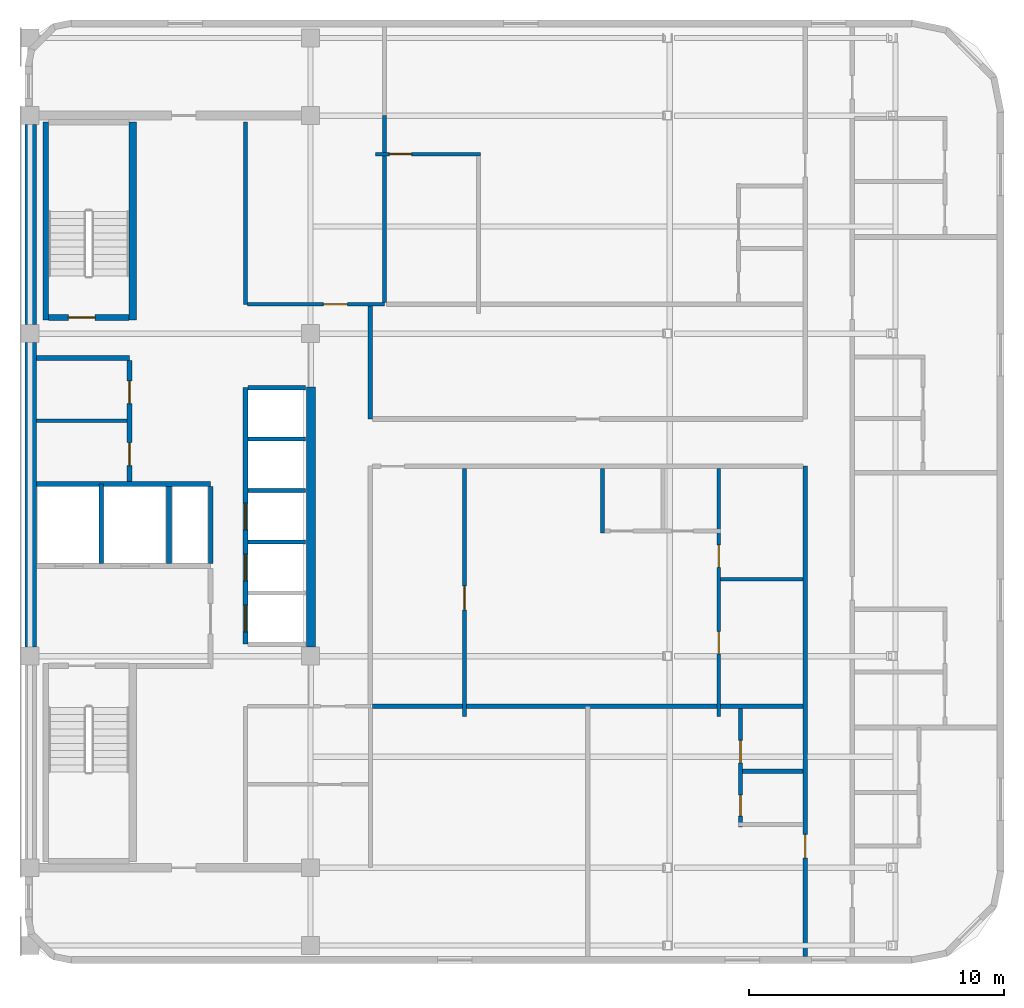
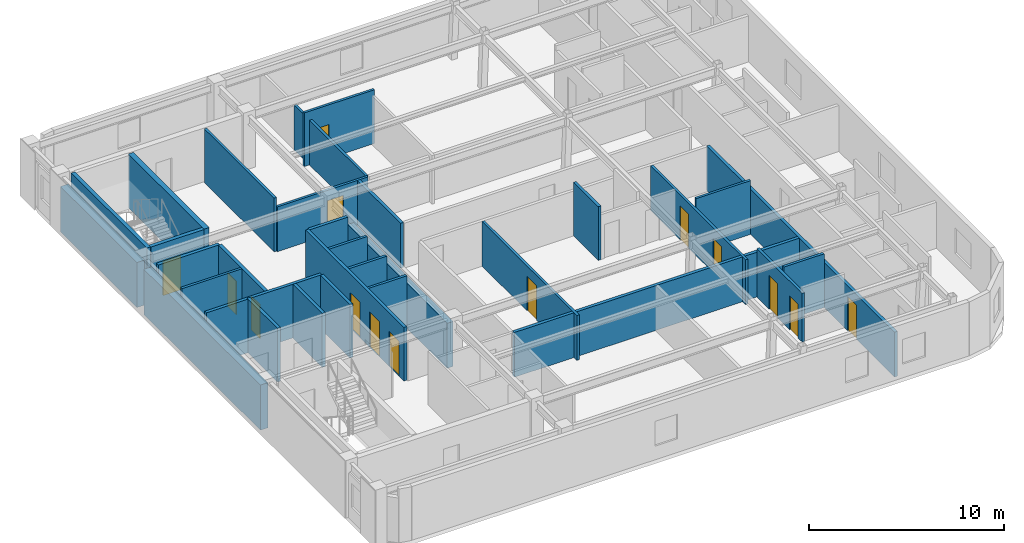
# One storey, part 3 of 6: 31 walls, 14 doors, 14 openings.
"""IFC4 building model written with IfcOpenShell, lengths in metres."""

from ifc_helpers import new_model, si_unit, direction, frame, frame_2d, origin, place, context, subcontext, project, spatial, rectangle, extrude, material, layer, layer_set, type_object, element, fill, save


model = new_model("IFC4")

# Units and contexts
model_context = context("Model", 3, precision=1e-05, world=origin(), true_north=direction((0.0, 1.0)))
body_context = subcontext(model_context, "Body", "Model", "MODEL_VIEW")
ifc_project = project(units=[si_unit("LENGTHUNIT", "METRE"), si_unit("AREAUNIT", "SQUARE_METRE"), si_unit("VOLUMEUNIT", "CUBIC_METRE"), si_unit("PLANEANGLEUNIT", "RADIAN"), si_unit("MASSUNIT", "GRAM", prefix="KILO")], contexts=[model_context])

# Site, building, storey
site_placement = place(None, origin())
site = spatial("IfcSite", under=ifc_project, at=site_placement, CompositionType="ELEMENT")
building_placement = place(site_placement, origin())
building = spatial("IfcBuilding", under=site, at=building_placement, Name="Ochreholt Gables", CompositionType="ELEMENT")
storey_placement = place(building_placement, frame((0.0, 0.0, 264.0)))
storey = spatial("IfcBuildingStorey", under=building, at=storey_placement, Name="L69", CompositionType="ELEMENT", Elevation=264.0)

# Walls
ifc_material_1 = material(Name="Concrete 50 MPa", Category="concrete")
ifc_layer_1 = layer(ifc_material_1, 0.35009765625, Name="Concrete 50 MPa")
ifc_layer_set_1 = layer_set([ifc_layer_1], Name="Concrete 50 MPa")
wall_type_1 = type_object("IfcWallType", Name="WALL-CSW-350", PredefinedType="SHEAR", material=ifc_layer_set_1)
wall_1_placement = place(storey_placement, frame((35.22509765625, 17.89990234375, 0.0), z_axis=(0.0, 0.0, 1.0), x_axis=(0.0, 1.0, 0.0)))
element("IfcWall", 1, at=wall_1_placement, inside=storey, type_object=wall_type_1, Name="L69 Core Central-East Shear Wall", PredefinedType="SHEAR", context=body_context, shape_type="SweptSolid", body=[
    extrude(rectangle(XDim=10.2001953125, YDim=0.35009765625, at=frame_2d((5.10009765625, 0.0))), origin(), (0.0, 0.0, 1.0), 2.821044921875),
])
ifc_layer_2 = layer(ifc_material_1, 0.449951171875, Name="Concrete 50 MPa")
ifc_layer_set_2 = layer_set([ifc_layer_2], Name="Concrete 50 MPa")
wall_type_2 = type_object("IfcWallType", Name="WALL-CSW-EXT", PredefinedType="SHEAR", material=ifc_layer_set_2)
wall_2_placement = place(storey_placement, frame((24.22509765625, 17.89990234375, 0.0), z_axis=(0.0, 0.0, 1.0), x_axis=(0.0, 1.0, 0.0)))
element("IfcWall", 2, at=wall_2_placement, inside=storey, type_object=wall_type_2, Name="L69 Core West Shear Wall WM", PredefinedType="SHEAR", context=body_context, shape_type="SweptSolid", body=[
    extrude(rectangle(XDim=11.9501953125, YDim=0.449951171875, at=frame_2d((5.97509765625, 0.0))), origin(), (0.0, 0.0, 1.0), 2.821044921875),
])
wall_3_placement = place(storey_placement, frame((24.22509765625, 30.550048828125, 0.0), z_axis=(0.0, 0.0, 1.0), x_axis=(0.0, 1.0, 0.0)))
element("IfcWall", 3, at=wall_3_placement, inside=storey, type_object=wall_type_2, Name="L69 Core West Shear Wall WN", PredefinedType="SHEAR", context=body_context, shape_type="SweptSolid", body=[
    extrude(rectangle(XDim=7.849853515625, YDim=0.449951171875, at=frame_2d((3.9248046875, 0.0))), origin(), (0.0, 0.0, 1.0), 2.821044921875),
])
ifc_material_2 = material(Name="Concrete 40 MPa", Category="concrete")
ifc_layer_3 = layer(ifc_material_2, 0.199951171875, Name="Concrete 40 MPa")
ifc_layer_set_3 = layer_set([ifc_layer_3], Name="Concrete 40 MPa")
wall_type_3 = type_object("IfcWallType", Name="WALL-INT-CF200", PredefinedType="STANDARD", material=ifc_layer_set_3)
wall_4_placement = place(storey_placement, frame((24.449951171875, 29.239990234375, 0.0), z_axis=(0.0, 0.0, 1.0), x_axis=(1.0, 0.0, 0.0)))
element("IfcWall", 4, at=wall_4_placement, inside=storey, type_object=wall_type_3, Name="L69 Interior Wall WI-SRVN-L69", PredefinedType="STANDARD", context=body_context, shape_type="SweptSolid", body=[
    extrude(rectangle(XDim=3.650146484375, YDim=0.199951171875, at=frame_2d((1.8251953125, 0.0))), origin(), (0.0, 0.0, 1.0), 3.360107421875),
])

# Wall, openings, doors
wall_5_placement = place(storey_placement, frame((28.10009765625, 24.389892578125, 0.0), z_axis=(0.0, 0.0, 1.0), x_axis=(0.0, 1.0, 0.0)))
wall_5 = element("IfcWall", 5, at=wall_5_placement, inside=storey, type_object=wall_type_3, Name="L69 Interior Wall WI-SRVE-L69", PredefinedType="STANDARD", context=body_context, shape_type="SweptSolid", body=[
    extrude(rectangle(XDim=4.75, YDim=0.199951171875, at=frame_2d((2.375, 0.0))), origin(), (0.0, 0.0, 1.0), 3.360107421875),
])
opening_1_placement = place(wall_5_placement, frame((0.6298828125, 0.0, 0.0)))
opening_1 = element("IfcOpeningElement", 6, at=opening_1_placement, cuts=wall_5, Name="Opening D-SV1", PredefinedType="OPENING", context=body_context, shape_type="SweptSolid", body=[
    extrude(rectangle(XDim=0.89990234375, YDim=2.10009765625, at=frame_2d((0.449951171875, 1.050048828125))), frame((0.0, 0.10986328125, 0.0), z_axis=(0.0, -1.0, 0.0), x_axis=(1.0, 0.0, 0.0)), (0.0, 0.0, 1.0), 0.219970703125),
])
opening_2_placement = place(wall_5_placement, frame((3.06005859375, 0.0, 0.0)))
opening_2 = element("IfcOpeningElement", 7, at=opening_2_placement, cuts=wall_5, Name="Opening D-SV1", PredefinedType="OPENING", context=body_context, shape_type="SweptSolid", body=[
    extrude(rectangle(XDim=0.89990234375, YDim=2.10009765625, at=frame_2d((0.449951171875, 1.050048828125))), frame((0.0, 0.10986328125, 0.0), z_axis=(0.0, -1.0, 0.0), x_axis=(1.0, 0.0, 0.0)), (0.0, 0.0, 1.0), 0.219970703125),
])
ifc_material_3 = material(Name="Hollow Metal Steel", Category="steel")
door_type_1 = type_object("IfcDoorType", Name="DR-INT-SRV900", OperationType="NOTDEFINED", PredefinedType="DOOR", material=ifc_material_3)
door_1_placement = place(opening_1_placement, origin())
door_1 = element("IfcDoor", 8, at=door_1_placement, inside=storey, type_object=door_type_1, Name="L69 Door D-SRV1-L69", OperationType="SINGLE_SWING_LEFT", OverallHeight=2.10009765625, OverallWidth=0.89990234375, PredefinedType="DOOR", context=body_context, shape_type="SweptSolid", body=[
    extrude(rectangle(XDim=0.89990234375, YDim=2.10009765625, at=frame_2d((0.449951171875, 1.050048828125))), frame((0.0, 0.02490234375, 0.0), z_axis=(0.0, -1.0, 0.0), x_axis=(1.0, 0.0, 0.0)), (0.0, 0.0, 1.0), 0.050048828125),
])
fill(opening_1, door_1)
door_2_placement = place(opening_2_placement, origin())
door_2 = element("IfcDoor", 9, at=door_2_placement, inside=storey, type_object=door_type_1, Name="L69 Door D-SRV2-L69", OperationType="SINGLE_SWING_RIGHT", OverallHeight=2.10009765625, OverallWidth=0.89990234375, PredefinedType="DOOR", context=body_context, shape_type="SweptSolid", body=[
    extrude(rectangle(XDim=0.89990234375, YDim=2.10009765625, at=frame_2d((0.449951171875, 1.050048828125))), frame((0.0, 0.02490234375, 0.0), z_axis=(0.0, -1.0, 0.0), x_axis=(1.0, 0.0, 0.0)), (0.0, 0.0, 1.0), 0.050048828125),
])
fill(opening_2, door_2)

# Wall
ifc_material_4 = material(Name="Fire-Rated Gypsum Acoustic Partition", Category="gypsum")
ifc_layer_4 = layer(ifc_material_4, 0.179931640625, Name="Fire-Rated Gypsum Acoustic Partition")
ifc_layer_set_4 = layer_set([ifc_layer_4], Name="Fire-Rated Gypsum Acoustic Partition")
wall_type_4 = type_object("IfcWallType", Name="WALL-INT-CR180", PredefinedType="STANDARD", material=ifc_layer_set_4)
wall_6_placement = place(storey_placement, frame((37.550048828125, 26.85009765625, 0.0), z_axis=(0.0, 0.0, 1.0), x_axis=(0.0, 1.0, 0.0)))
element("IfcWall", 10, at=wall_6_placement, inside=storey, type_object=wall_type_4, Name="L69 Interior Wall WI-C3CE2-L69", PredefinedType="STANDARD", context=body_context, shape_type="SweptSolid", body=[
    extrude(rectangle(XDim=4.427490234375, YDim=0.179931640625, at=frame_2d((2.2138671875, 0.0))), origin(), (0.0, 0.0, 1.0), 2.802978515625),
])

# Wall, opening, door
wall_7_placement = place(storey_placement, frame((54.60009765625, 5.77001953125, 0.0), z_axis=(0.0, 0.0, 1.0), x_axis=(0.0, 1.0, 0.0)))
wall_7 = element("IfcWall", 11, at=wall_7_placement, inside=storey, type_object=wall_type_4, Name="L69 Interior Wall WI-C3GW0-L69", PredefinedType="STANDARD", context=body_context, shape_type="SweptSolid", body=[
    extrude(rectangle(XDim=19.22998046875, YDim=0.179931640625, at=frame_2d((9.614990234375, 0.0))), origin(), (0.0, 0.0, 1.0), 2.802978515625),
])
opening_3_placement = place(wall_7_placement, frame((3.8701171875, 0.0, 0.0)))
opening_3 = element("IfcOpeningElement", 12, at=opening_3_placement, cuts=wall_7, Name="Opening D-UN1", PredefinedType="OPENING", context=body_context, shape_type="SweptSolid", body=[
    extrude(rectangle(XDim=0.919921875, YDim=2.14990234375, at=frame_2d((0.4599609375, 1.074951171875))), frame((0.0, 0.099853515625, 0.0), z_axis=(0.0, -1.0, 0.0), x_axis=(1.0, 0.0, 0.0)), (0.0, 0.0, 1.0), 0.199951171875),
])
ifc_material_5 = material(Name="Engineered Oak Timber", Category="wood")
door_type_2 = type_object("IfcDoorType", Name="DR-INT-UNT920", OperationType="NOTDEFINED", PredefinedType="DOOR", material=ifc_material_5)
door_3_placement = place(opening_3_placement, origin())
door_3 = element("IfcDoor", 13, at=door_3_placement, inside=storey, type_object=door_type_2, Name="L69 Door D-U-L69SM1-ENT", OperationType="SINGLE_SWING_RIGHT", OverallHeight=2.14990234375, OverallWidth=0.919921875, PredefinedType="DOOR", context=body_context, shape_type="SweptSolid", body=[
    extrude(rectangle(XDim=0.919921875, YDim=2.14990234375, at=frame_2d((0.4599609375, 1.074951171875))), frame((0.0, 0.02490234375, 0.0), z_axis=(0.0, -1.0, 0.0), x_axis=(1.0, 0.0, 0.0)), (0.0, 0.0, 1.0), 0.050048828125),
])
fill(opening_3, door_3)

# Wall
ifc_material_6 = material(Name="Double-Stud Acoustic Demising Wall", Category="gypsum")
ifc_layer_5 = layer(ifc_material_6, 0.18505859375, Name="Double-Stud Acoustic Demising Wall")
ifc_layer_set_5 = layer_set([ifc_layer_5], Name="Double-Stud Acoustic Demising Wall")
wall_type_5 = type_object("IfcWallType", Name="WALL-INT-DM185", PredefinedType="PARTITIONING", material=ifc_layer_set_5)
wall_8_placement = place(storey_placement, frame((37.639892578125, 15.580078125, 0.0), z_axis=(0.0, 0.0, 1.0), x_axis=(1.0, 0.0, 0.0)))
element("IfcWall", 14, at=wall_8_placement, inside=storey, type_object=wall_type_5, Name="L69 Interior Wall WI-C3SMY-L69", PredefinedType="PARTITIONING", context=body_context, shape_type="SweptSolid", body=[
    extrude(rectangle(XDim=16.8701171875, YDim=0.18505859375, at=frame_2d((8.43505859375, 0.0))), origin(), (0.0, 0.0, 1.0), 2.802978515625),
])

# Wall, openings, doors
ifc_material_7 = material(Name="Moisture-Resistant Plumbing Chase Wall", Category="gypsum")
ifc_layer_6 = layer(ifc_material_7, 0.159912109375, Name="Moisture-Resistant Plumbing Chase Wall")
ifc_layer_set_6 = layer_set([ifc_layer_6], Name="Moisture-Resistant Plumbing Chase Wall")
wall_type_6 = type_object("IfcWallType", Name="WALL-INT-PL160", PredefinedType="PLUMBINGWALL", material=ifc_layer_set_6)
wall_9_placement = place(storey_placement, frame((52.06005859375, 10.85009765625, 0.0), z_axis=(0.0, 0.0, 1.0), x_axis=(0.0, 1.0, 0.0)))
wall_9 = element("IfcWall", 15, at=wall_9_placement, inside=storey, type_object=wall_type_6, Name="L69 Interior Wall WU-L69SM1-WX", PredefinedType="PLUMBINGWALL", context=body_context, shape_type="SweptSolid", body=[
    extrude(rectangle(XDim=4.637451171875, YDim=0.159912109375, at=frame_2d((2.31884765625, 0.0))), origin(), (0.0, 0.0, 1.0), 3.0390625),
])
opening_4_placement = place(wall_9_placement, frame((0.419921875, 0.0, 0.0)))
opening_4 = element("IfcOpeningElement", 16, at=opening_4_placement, cuts=wall_9, Name="Opening D-BT2", PredefinedType="OPENING", context=body_context, shape_type="SweptSolid", body=[
    extrude(rectangle(XDim=0.840087890625, YDim=2.1201171875, at=frame_2d((0.419921875, 1.06005859375))), frame((0.0, 0.08984375, 0.0), z_axis=(0.0, -1.0, 0.0), x_axis=(1.0, 0.0, 0.0)), (0.0, 0.0, 1.0), 0.179931640625),
])
opening_5_placement = place(wall_9_placement, frame((2.512939453125, 0.0, 0.0)))
opening_5 = element("IfcOpeningElement", 17, at=opening_5_placement, cuts=wall_9, Name="Opening D-GN2", PredefinedType="OPENING", context=body_context, shape_type="SweptSolid", body=[
    extrude(rectangle(XDim=0.8798828125, YDim=2.1201171875, at=frame_2d((0.43994140625, 1.06005859375))), frame((0.0, 0.08984375, 0.0), z_axis=(0.0, -1.0, 0.0), x_axis=(1.0, 0.0, 0.0)), (0.0, 0.0, 1.0), 0.179931640625),
])
door_type_3 = type_object("IfcDoorType", Name="DR-INT-BTH840", OperationType="NOTDEFINED", PredefinedType="DOOR", material=ifc_material_5)
door_4_placement = place(opening_4_placement, origin())
door_4 = element("IfcDoor", 18, at=door_4_placement, inside=storey, type_object=door_type_3, Name="L69 Door D-U-L69SM1-BTH", OperationType="SINGLE_SWING_LEFT", OverallHeight=2.1201171875, OverallWidth=0.840087890625, PredefinedType="DOOR", context=body_context, shape_type="SweptSolid", body=[
    extrude(rectangle(XDim=0.840087890625, YDim=2.1201171875, at=frame_2d((0.419921875, 1.06005859375))), frame((0.0, 0.02490234375, 0.0), z_axis=(0.0, -1.0, 0.0), x_axis=(1.0, 0.0, 0.0)), (0.0, 0.0, 1.0), 0.050048828125),
])
fill(opening_4, door_4)
door_type_4 = type_object("IfcDoorType", Name="DR-INT-GEN880", OperationType="NOTDEFINED", PredefinedType="DOOR", material=ifc_material_5)
door_5_placement = place(opening_5_placement, origin())
door_5 = element("IfcDoor", 19, at=door_5_placement, inside=storey, type_object=door_type_4, Name="L69 Door D-U-L69SM1-KIT", OperationType="SINGLE_SWING_RIGHT", OverallHeight=2.1201171875, OverallWidth=0.8798828125, PredefinedType="DOOR", context=body_context, shape_type="SweptSolid", body=[
    extrude(rectangle(XDim=0.8798828125, YDim=2.1201171875, at=frame_2d((0.43994140625, 1.06005859375))), frame((0.0, 0.02490234375, 0.0), z_axis=(0.0, -1.0, 0.0), x_axis=(1.0, 0.0, 0.0)), (0.0, 0.0, 1.0), 0.050048828125),
])
fill(opening_5, door_5)

# Walls
wall_10_placement = place(storey_placement, frame((52.139892578125, 13.032958984375, 0.0), z_axis=(0.0, 0.0, 1.0), x_axis=(1.0, 0.0, 0.0)))
element("IfcWall", 20, at=wall_10_placement, inside=storey, type_object=wall_type_6, Name="L69 Interior Wall WU-L69SM1-WM", PredefinedType="PLUMBINGWALL", context=body_context, shape_type="SweptSolid", body=[
    extrude(rectangle(XDim=2.3701171875, YDim=0.159912109375, at=frame_2d((1.18505859375, 0.0))), origin(), (0.0, 0.0, 1.0), 3.360107421875),
])
wall_11_placement = place(storey_placement, frame((46.659912109375, 22.3798828125, 0.0), z_axis=(0.0, 0.0, 1.0), x_axis=(0.0, 1.0, 0.0)))
element("IfcWall", 21, at=wall_11_placement, inside=storey, type_object=wall_type_6, Name="L69 Interior Wall WU-L69SM2-FY", PredefinedType="PLUMBINGWALL", context=body_context, shape_type="SweptSolid", body=[
    extrude(rectangle(XDim=2.530029296875, YDim=0.159912109375, at=frame_2d((1.26513671875, 0.0))), origin(), (0.0, 0.0, 1.0), 3.360107421875),
])
ifc_material_8 = material(Name="Lightweight Stud Partition", Category="gypsum")
ifc_layer_7 = layer(ifc_material_8, 0.14501953125, Name="Lightweight Stud Partition")
ifc_layer_set_7 = layer_set([ifc_layer_7], Name="Lightweight Stud Partition")
wall_type_7 = type_object("IfcWallType", Name="WALL-INT-PT145", PredefinedType="PARTITIONING", material=ifc_layer_set_7)
wall_12_placement = place(storey_placement, frame((24.449951171875, 26.780029296875, 0.0), z_axis=(0.0, 0.0, 1.0), x_axis=(1.0, 0.0, 0.0)))
element("IfcWall", 22, at=wall_12_placement, inside=storey, type_object=wall_type_7, Name="L69 Interior Wall WI-SRVP1-L69", PredefinedType="PARTITIONING", context=body_context, shape_type="SweptSolid", body=[
    extrude(rectangle(XDim=3.550048828125, YDim=0.14501953125, at=frame_2d((1.77490234375, 0.0))), origin(), (0.0, 0.0, 1.0), 3.360107421875),
])
wall_13_placement = place(storey_placement, frame((32.64990234375, 31.35009765625, 0.0), z_axis=(0.0, 0.0, 1.0), x_axis=(0.0, 1.0, 0.0)))
element("IfcWall", 23, at=wall_13_placement, inside=storey, type_object=wall_type_7, Name="L69 Interior Wall WI-RCM-W-L69", PredefinedType="PARTITIONING", context=body_context, shape_type="SweptSolid", body=[
    extrude(rectangle(XDim=7.14990234375, YDim=0.14501953125, at=frame_2d((3.574951171875, 0.0))), origin(), (0.0, 0.0, 1.0), 3.360107421875),
])

# Wall, opening, door
wall_14_placement = place(storey_placement, frame((32.722412109375, 31.35009765625, 0.0), z_axis=(0.0, 0.0, 1.0), x_axis=(1.0, 0.0, 0.0)))
wall_14 = element("IfcWall", 24, at=wall_14_placement, inside=storey, type_object=wall_type_7, Name="L69 Interior Wall WI-RCM-S-L69", PredefinedType="PARTITIONING", context=body_context, shape_type="SweptSolid", body=[
    extrude(rectangle(XDim=5.377685546875, YDim=0.14501953125, at=frame_2d((2.68896484375, 0.0))), origin(), (0.0, 0.0, 1.0), 2.802978515625),
])
opening_6_placement = place(wall_14_placement, frame((2.9775390625, 0.0, 0.0)))
opening_6 = element("IfcOpeningElement", 25, at=opening_6_placement, cuts=wall_14, Name="Opening D-GN1", PredefinedType="OPENING", context=body_context, shape_type="SweptSolid", body=[
    extrude(rectangle(XDim=0.949951171875, YDim=2.14990234375, at=frame_2d((0.47509765625, 1.074951171875))), frame((0.0, 0.08251953125, 0.0), z_axis=(0.0, -1.0, 0.0), x_axis=(1.0, 0.0, 0.0)), (0.0, 0.0, 1.0), 0.1650390625),
])
door_type_5 = type_object("IfcDoorType", Name="DR-INT-GEN950", OperationType="NOTDEFINED", PredefinedType="DOOR", material=ifc_material_5)
door_6_placement = place(opening_6_placement, origin())
door_6 = element("IfcDoor", 26, at=door_6_placement, inside=storey, type_object=door_type_5, Name="L69 Door D-RCM-L69", OperationType="SINGLE_SWING_RIGHT", OverallHeight=2.14990234375, OverallWidth=0.949951171875, PredefinedType="DOOR", context=body_context, shape_type="SweptSolid", body=[
    extrude(rectangle(XDim=0.949951171875, YDim=2.14990234375, at=frame_2d((0.47509765625, 1.074951171875))), frame((0.0, 0.02490234375, 0.0), z_axis=(0.0, -1.0, 0.0), x_axis=(1.0, 0.0, 0.0)), (0.0, 0.0, 1.0), 0.050048828125),
])
fill(opening_6, door_6)

# Wall
wall_15_placement = place(storey_placement, frame((38.10009765625, 31.422607421875, 0.0), z_axis=(0.0, 0.0, 1.0), x_axis=(0.0, 1.0, 0.0)))
element("IfcWall", 27, at=wall_15_placement, inside=storey, type_object=wall_type_7, Name="L69 Interior Wall WI-RCM-E-L69", PredefinedType="PARTITIONING", context=body_context, shape_type="SweptSolid", body=[
    extrude(rectangle(XDim=7.327392578125, YDim=0.14501953125, at=frame_2d((3.66357421875, 0.0))), origin(), (0.0, 0.0, 1.0), 2.802978515625),
])

# Wall, openings, doors
wall_16_placement = place(storey_placement, frame((51.2099609375, 15.18994140625, 0.0), z_axis=(0.0, 0.0, 1.0), x_axis=(0.0, 1.0, 0.0)))
wall_16 = element("IfcWall", 28, at=wall_16_placement, inside=storey, type_object=wall_type_7, Name="L69 Interior Wall WU-L69SM2-MNX", PredefinedType="PARTITIONING", context=body_context, shape_type="SweptSolid", body=[
    extrude(rectangle(XDim=9.719970703125, YDim=0.14501953125, at=frame_2d((4.85986328125, 0.0))), origin(), (0.0, 0.0, 1.0), 2.802978515625),
])
opening_7_placement = place(wall_16_placement, frame((2.445068359375, 0.0, 0.0)))
opening_7 = element("IfcOpeningElement", 29, at=opening_7_placement, cuts=wall_16, Name="Opening D-BD2", PredefinedType="OPENING", context=body_context, shape_type="SweptSolid", body=[
    extrude(rectangle(XDim=0.8798828125, YDim=2.139892578125, at=frame_2d((0.43994140625, 1.06982421875))), frame((0.0, 0.08251953125, 0.0), z_axis=(0.0, -1.0, 0.0), x_axis=(1.0, 0.0, 0.0)), (0.0, 0.0, 1.0), 0.1650390625),
])
opening_8_placement = place(wall_16_placement, frame((5.840087890625, 0.0, 0.0)))
opening_8 = element("IfcOpeningElement", 30, at=opening_8_placement, cuts=wall_16, Name="Opening D-GN2", PredefinedType="OPENING", context=body_context, shape_type="SweptSolid", body=[
    extrude(rectangle(XDim=0.8798828125, YDim=2.1201171875, at=frame_2d((0.43994140625, 1.06005859375))), frame((0.0, 0.08251953125, 0.0), z_axis=(0.0, -1.0, 0.0), x_axis=(1.0, 0.0, 0.0)), (0.0, 0.0, 1.0), 0.1650390625),
])
door_type_6 = type_object("IfcDoorType", Name="DR-INT-BED880", OperationType="NOTDEFINED", PredefinedType="DOOR", material=ifc_material_5)
door_7_placement = place(opening_7_placement, origin())
door_7 = element("IfcDoor", 31, at=door_7_placement, inside=storey, type_object=door_type_6, Name="L69 Door D-U-L69SM2-BD1", OperationType="SINGLE_SWING_RIGHT", OverallHeight=2.139892578125, OverallWidth=0.8798828125, PredefinedType="DOOR", context=body_context, shape_type="SweptSolid", body=[
    extrude(rectangle(XDim=0.8798828125, YDim=2.139892578125, at=frame_2d((0.43994140625, 1.06982421875))), frame((0.0, 0.02490234375, 0.0), z_axis=(0.0, -1.0, 0.0), x_axis=(1.0, 0.0, 0.0)), (0.0, 0.0, 1.0), 0.050048828125),
])
fill(opening_7, door_7)
door_8_placement = place(opening_8_placement, origin())
door_8 = element("IfcDoor", 32, at=door_8_placement, inside=storey, type_object=door_type_4, Name="L69 Door D-U-L69SM2-BD2", OperationType="SINGLE_SWING_LEFT", OverallHeight=2.1201171875, OverallWidth=0.8798828125, PredefinedType="DOOR", context=body_context, shape_type="SweptSolid", body=[
    extrude(rectangle(XDim=0.8798828125, YDim=2.1201171875, at=frame_2d((0.43994140625, 1.06005859375))), frame((0.0, 0.02490234375, 0.0), z_axis=(0.0, -1.0, 0.0), x_axis=(1.0, 0.0, 0.0)), (0.0, 0.0, 1.0), 0.050048828125),
])
fill(opening_8, door_8)

# Wall, opening, door
wall_17_placement = place(storey_placement, frame((41.239990234375, 15.18994140625, 0.0), z_axis=(0.0, 0.0, 1.0), x_axis=(0.0, 1.0, 0.0)))
wall_17 = element("IfcWall", 33, at=wall_17_placement, inside=storey, type_object=wall_type_7, Name="L69 Interior Wall WU-L69SM2-DNX", PredefinedType="PARTITIONING", context=body_context, shape_type="SweptSolid", body=[
    extrude(rectangle(XDim=9.719970703125, YDim=0.14501953125, at=frame_2d((4.85986328125, 0.0))), origin(), (0.0, 0.0, 1.0), 2.802978515625),
])
opening_9_placement = place(wall_17_placement, frame((4.169921875, 0.0, 0.0)))
opening_9 = element("IfcOpeningElement", 34, at=opening_9_placement, cuts=wall_17, Name="Opening D-GN1", PredefinedType="OPENING", context=body_context, shape_type="SweptSolid", body=[
    extrude(rectangle(XDim=0.949951171875, YDim=2.14990234375, at=frame_2d((0.47509765625, 1.074951171875))), frame((0.0, 0.08251953125, 0.0), z_axis=(0.0, -1.0, 0.0), x_axis=(1.0, 0.0, 0.0)), (0.0, 0.0, 1.0), 0.1650390625),
])
door_9_placement = place(opening_9_placement, origin())
door_9 = element("IfcDoor", 35, at=door_9_placement, inside=storey, type_object=door_type_5, Name="L69 Door D-U-L69SM2-DIN", OperationType="SINGLE_SWING_LEFT", OverallHeight=2.14990234375, OverallWidth=0.949951171875, PredefinedType="DOOR", context=body_context, shape_type="SweptSolid", body=[
    extrude(rectangle(XDim=0.949951171875, YDim=2.14990234375, at=frame_2d((0.47509765625, 1.074951171875))), frame((0.0, 0.02490234375, 0.0), z_axis=(0.0, -1.0, 0.0), x_axis=(1.0, 0.0, 0.0)), (0.0, 0.0, 1.0), 0.050048828125),
])
fill(opening_9, door_9)

# Wall
wall_18_placement = place(storey_placement, frame((51.2900390625, 20.570068359375, 0.0), z_axis=(0.0, 0.0, 1.0), x_axis=(1.0, 0.0, 0.0)))
element("IfcWall", 36, at=wall_18_placement, inside=storey, type_object=wall_type_7, Name="L69 Interior Wall WU-L69SM2-RDV", PredefinedType="PARTITIONING", context=body_context, shape_type="SweptSolid", body=[
    extrude(rectangle(XDim=3.219970703125, YDim=0.14501953125, at=frame_2d((1.60986328125, 0.0))), origin(), (0.0, 0.0, 1.0), 3.360107421875),
])

# Wall, opening, door
wall_19_placement = place(storey_placement, frame((37.739990234375, 37.239990234375, 0.0), z_axis=(0.0, 0.0, 1.0), x_axis=(1.0, 0.0, 0.0)))
wall_19 = element("IfcWall", 37, at=wall_19_placement, inside=storey, type_object=wall_type_7, Name="L69 Interior Wall WU-L69NM2-STN", PredefinedType="PARTITIONING", context=body_context, shape_type="SweptSolid", body=[
    extrude(rectangle(XDim=4.130126953125, YDim=0.14501953125, at=frame_2d((2.06494140625, 0.0))), origin(), (0.0, 0.0, 1.0), 3.360107421875),
])
opening_10_placement = place(wall_19_placement, frame((0.550048828125, 0.0, 0.0)))
opening_10 = element("IfcOpeningElement", 38, at=opening_10_placement, cuts=wall_19, Name="Opening D-GN2", PredefinedType="OPENING", context=body_context, shape_type="SweptSolid", body=[
    extrude(rectangle(XDim=0.8798828125, YDim=2.1201171875, at=frame_2d((0.43994140625, 1.06005859375))), frame((0.0, 0.08251953125, 0.0), z_axis=(0.0, -1.0, 0.0), x_axis=(1.0, 0.0, 0.0)), (0.0, 0.0, 1.0), 0.1650390625),
])
door_10_placement = place(opening_10_placement, origin())
door_10 = element("IfcDoor", 39, at=door_10_placement, inside=storey, type_object=door_type_4, Name="L69 Door D-U-L69NM2-STD", OperationType="SINGLE_SWING_RIGHT", OverallHeight=2.1201171875, OverallWidth=0.8798828125, PredefinedType="DOOR", context=body_context, shape_type="SweptSolid", body=[
    extrude(rectangle(XDim=0.8798828125, YDim=2.1201171875, at=frame_2d((0.43994140625, 1.06005859375))), frame((0.0, 0.02490234375, 0.0), z_axis=(0.0, -1.0, 0.0), x_axis=(1.0, 0.0, 0.0)), (0.0, 0.0, 1.0), 0.050048828125),
])
fill(opening_10, door_10)

# Walls
ifc_material_9 = material(Name="Gypsum Shaftliner and Steel Stud", Category="steel")
ifc_layer_8 = layer(ifc_material_9, 0.14990234375, Name="Gypsum Shaftliner and Steel Stud")
ifc_layer_set_8 = layer_set([ifc_layer_8], Name="Gypsum Shaftliner and Steel Stud")
wall_type_8 = type_object("IfcWallType", Name="WALL-INT-SH150", PredefinedType="STANDARD", material=ifc_layer_set_8)
for number, where, z_axis, x_axis, name in (
    (40, (32.739990234375, 22.02001953125, 0.0), (0.0, 0.0, 1.0), (1.0, 0.0, 0.0), "L69 Interior Wall WI-LFHE-DH2-L69"),
    (41, (32.739990234375, 24.050048828125, 0.0), (0.0, 0.0, 1.0), (1.0, 0.0, 0.0), "L69 Interior Wall WI-LFHE-DHE-L69"),
    (42, (32.739990234375, 26.070068359375, 0.0), (0.0, 0.0, 1.0), (1.0, 0.0, 0.0), "L69 Interior Wall WI-LFHE-DEX1-L69"),
):
    element("IfcWall", number, at=place(storey_placement, frame(where, z_axis=z_axis, x_axis=x_axis)), inside=storey, type_object=wall_type_8, Name=name, PredefinedType="STANDARD", context=body_context, shape_type="SweptSolid", body=[
        extrude(rectangle(XDim=2.260009765625, YDim=0.14990234375, at=frame_2d((1.1298828125, 0.0))), origin(), (0.0, 0.0, 1.0), 3.360107421875),
    ])
ifc_layer_9 = layer(ifc_material_9, 0.179931640625, Name="Gypsum Shaftliner and Steel Stud")
ifc_layer_set_9 = layer_set([ifc_layer_9], Name="Gypsum Shaftliner and Steel Stud")
wall_type_9 = type_object("IfcWallType", Name="WALL-INT-SH180", PredefinedType="STANDARD", material=ifc_layer_set_9)
wall_20_placement = place(storey_placement, frame((27.0, 21.18994140625, 0.0), z_axis=(0.0, 0.0, 1.0), x_axis=(0.0, 1.0, 0.0)))
element("IfcWall", 43, at=wall_20_placement, inside=storey, type_object=wall_type_9, Name="L69 Interior Wall WI-FFDIV-L69", PredefinedType="STANDARD", context=body_context, shape_type="SweptSolid", body=[
    extrude(rectangle(XDim=3.110107421875, YDim=0.179931640625, at=frame_2d((1.55517578125, 0.0))), origin(), (0.0, 0.0, 1.0), 3.360107421875),
])
wall_21_placement = place(storey_placement, frame((24.449951171875, 24.300048828125, 0.0), z_axis=(0.0, 0.0, 1.0), x_axis=(1.0, 0.0, 0.0)))
element("IfcWall", 44, at=wall_21_placement, inside=storey, type_object=wall_type_9, Name="L69 Interior Wall WI-FFBK-L69", PredefinedType="STANDARD", context=body_context, shape_type="SweptSolid", body=[
    extrude(rectangle(XDim=6.830078125, YDim=0.179931640625, at=frame_2d((3.4150390625, 0.0))), origin(), (0.0, 0.0, 1.0), 3.360107421875),
])
for number, where, z_axis, x_axis, name in (
    (45, (29.64990234375, 21.18994140625, 0.0), (0.0, 0.0, 1.0), (0.0, 1.0, 0.0), "L69 Interior Wall WI-FFSH-L69"),
    (46, (31.280029296875, 21.18994140625, 0.0), (0.0, 0.0, 1.0), (0.0, 1.0, 0.0), "L69 Interior Wall WI-RSE-L69"),
):
    element("IfcWall", number, at=place(storey_placement, frame(where, z_axis=z_axis, x_axis=x_axis)), inside=storey, type_object=wall_type_9, Name=name, PredefinedType="STANDARD", context=body_context, shape_type="SweptSolid", body=[
        extrude(rectangle(XDim=3.02001953125, YDim=0.179931640625, at=frame_2d((1.510009765625, 0.0))), origin(), (0.0, 0.0, 1.0), 3.360107421875),
    ])

# Wall, openings, doors
wall_22_placement = place(storey_placement, frame((32.64990234375, 18.02001953125, 0.0), z_axis=(0.0, 0.0, 1.0), x_axis=(0.0, 1.0, 0.0)))
wall_22 = element("IfcWall", 47, at=wall_22_placement, inside=storey, type_object=wall_type_9, Name="L69 Interior Wall WI-LFHE-FR-L69", PredefinedType="STANDARD", context=body_context, shape_type="SweptSolid", body=[
    extrude(rectangle(XDim=10.06005859375, YDim=0.179931640625, at=frame_2d((5.030029296875, 0.0))), origin(), (0.0, 0.0, 1.0), 3.360107421875),
])
opening_11_placement = place(wall_22_placement, frame((0.47998046875, 0.0, 0.0)))
opening_11 = element("IfcOpeningElement", 48, at=opening_11_placement, cuts=wall_22, Name="Opening LD-PX", PredefinedType="OPENING", context=body_context, shape_type="SweptSolid", body=[
    extrude(rectangle(XDim=1.050048828125, YDim=2.199951171875, at=frame_2d((0.52490234375, 1.10009765625))), frame((0.0, 0.099853515625, 0.0), z_axis=(0.0, -1.0, 0.0), x_axis=(1.0, 0.0, 0.0)), (0.0, 0.0, 1.0), 0.199951171875),
])
opening_12_placement = place(wall_22_placement, frame((2.47998046875, 0.0, 0.0)))
opening_12 = element("IfcOpeningElement", 49, at=opening_12_placement, cuts=wall_22, Name="Opening LD-PX", PredefinedType="OPENING", context=body_context, shape_type="SweptSolid", body=[
    extrude(rectangle(XDim=1.050048828125, YDim=2.199951171875, at=frame_2d((0.52490234375, 1.10009765625))), frame((0.0, 0.099853515625, 0.0), z_axis=(0.0, -1.0, 0.0), x_axis=(1.0, 0.0, 0.0)), (0.0, 0.0, 1.0), 0.199951171875),
])
opening_13_placement = place(wall_22_placement, frame((4.47998046875, 0.0, 0.0)))
opening_13 = element("IfcOpeningElement", 50, at=opening_13_placement, cuts=wall_22, Name="Opening LD-PX", PredefinedType="OPENING", context=body_context, shape_type="SweptSolid", body=[
    extrude(rectangle(XDim=1.050048828125, YDim=2.199951171875, at=frame_2d((0.52490234375, 1.10009765625))), frame((0.0, 0.099853515625, 0.0), z_axis=(0.0, -1.0, 0.0), x_axis=(1.0, 0.0, 0.0)), (0.0, 0.0, 1.0), 0.199951171875),
])
ifc_material_10 = material(Name="Stainless Steel", Category="steel")
door_type_7 = type_object("IfcDoorType", Name="DR-LFT-PX1050", OperationType="NOTDEFINED", PredefinedType="DOOR", material=ifc_material_10)
door_11_placement = place(opening_11_placement, origin())
door_11 = element("IfcDoor", 51, at=door_11_placement, inside=storey, type_object=door_type_7, Name="L69 Door LD-LF-H1-L69", OperationType="SLIDING_TO_LEFT", OverallHeight=2.199951171875, OverallWidth=1.050048828125, PredefinedType="DOOR", context=body_context, shape_type="SweptSolid", body=[
    extrude(rectangle(XDim=1.050048828125, YDim=2.199951171875, at=frame_2d((0.52490234375, 1.10009765625))), frame((0.0, 0.02490234375, 0.0), z_axis=(0.0, -1.0, 0.0), x_axis=(1.0, 0.0, 0.0)), (0.0, 0.0, 1.0), 0.050048828125),
])
fill(opening_11, door_11)
door_12_placement = place(opening_12_placement, origin())
door_12 = element("IfcDoor", 52, at=door_12_placement, inside=storey, type_object=door_type_7, Name="L69 Door LD-LF-H2-L69", OperationType="SLIDING_TO_LEFT", OverallHeight=2.199951171875, OverallWidth=1.050048828125, PredefinedType="DOOR", context=body_context, shape_type="SweptSolid", body=[
    extrude(rectangle(XDim=1.050048828125, YDim=2.199951171875, at=frame_2d((0.52490234375, 1.10009765625))), frame((0.0, 0.02490234375, 0.0), z_axis=(0.0, -1.0, 0.0), x_axis=(1.0, 0.0, 0.0)), (0.0, 0.0, 1.0), 0.050048828125),
])
fill(opening_12, door_12)
door_13_placement = place(opening_13_placement, origin())
door_13 = element("IfcDoor", 53, at=door_13_placement, inside=storey, type_object=door_type_7, Name="L69 Door LD-LF-H3-L69", OperationType="SLIDING_TO_LEFT", OverallHeight=2.199951171875, OverallWidth=1.050048828125, PredefinedType="DOOR", context=body_context, shape_type="SweptSolid", body=[
    extrude(rectangle(XDim=1.050048828125, YDim=2.199951171875, at=frame_2d((0.52490234375, 1.10009765625))), frame((0.0, 0.02490234375, 0.0), z_axis=(0.0, -1.0, 0.0), x_axis=(1.0, 0.0, 0.0)), (0.0, 0.0, 1.0), 0.050048828125),
])
fill(opening_13, door_13)

# Walls
wall_23_placement = place(storey_placement, frame((32.739990234375, 28.080078125, 0.0), z_axis=(0.0, 0.0, 1.0), x_axis=(1.0, 0.0, 0.0)))
element("IfcWall", 54, at=wall_23_placement, inside=storey, type_object=wall_type_9, Name="L69 Interior Wall WI-LFHE-N-L69", PredefinedType="STANDARD", context=body_context, shape_type="SweptSolid", body=[
    extrude(rectangle(XDim=2.260009765625, YDim=0.179931640625, at=frame_2d((1.1298828125, 0.0))), origin(), (0.0, 0.0, 1.0), 3.360107421875),
])
ifc_material_11 = material(Name="Concrete 60 MPa", Category="concrete")
ifc_layer_10 = layer(ifc_material_11, 0.300048828125, Name="Concrete 60 MPa")
ifc_layer_set_10 = layer_set([ifc_layer_10], Name="Concrete 60 MPa")
wall_type_10 = type_object("IfcWallType", Name="WALL-SPN-300", PredefinedType="SHEAR", material=ifc_layer_set_10)
wall_24_placement = place(storey_placement, frame((28.22998046875, 30.739990234375, 0.0), z_axis=(0.0, 0.0, 1.0), x_axis=(0.0, 1.0, 0.0)))
element("IfcWall", 55, at=wall_24_placement, inside=storey, type_object=wall_type_10, Name="L69 Core North Spine Shear Wall", PredefinedType="SHEAR", context=body_context, shape_type="SweptSolid", body=[
    extrude(rectangle(XDim=7.760009765625, YDim=0.300048828125, at=frame_2d((3.8798828125, 0.0))), origin(), (0.0, 0.0, 1.0), 3.360107421875),
])
ifc_layer_11 = layer(ifc_material_1, 0.219970703125, Name="Concrete 50 MPa")
ifc_layer_set_11 = layer_set([ifc_layer_11], Name="Concrete 50 MPa")
wall_type_11 = type_object("IfcWallType", Name="WALL-STW-220", PredefinedType="SHEAR", material=ifc_layer_set_11)
wall_25_placement = place(storey_placement, frame((24.81005859375, 30.739990234375, 0.0), z_axis=(0.0, 0.0, 1.0), x_axis=(0.0, 1.0, 0.0)))
element("IfcWall", 56, at=wall_25_placement, inside=storey, type_object=wall_type_11, Name="L69 Exit Stair 2 West Wall", PredefinedType="SHEAR", context=body_context, shape_type="SweptSolid", body=[
    extrude(rectangle(XDim=7.760009765625, YDim=0.219970703125, at=frame_2d((3.8798828125, 0.0))), origin(), (0.0, 0.0, 1.0), 3.360107421875),
])

# Wall, opening, door
wall_26_placement = place(storey_placement, frame((24.919921875, 30.830078125, 0.0), z_axis=(0.0, 0.0, 1.0), x_axis=(1.0, 0.0, 0.0)))
wall_26 = element("IfcWall", 57, at=wall_26_placement, inside=storey, type_object=wall_type_11, Name="L69 Exit Stair 2 South Wall", PredefinedType="SHEAR", context=body_context, shape_type="SweptSolid", body=[
    extrude(rectangle(XDim=3.16015625, YDim=0.219970703125, at=frame_2d((1.580078125, 0.0))), origin(), (0.0, 0.0, 1.0), 3.360107421875),
])
opening_14_placement = place(wall_26_placement, frame((0.780029296875, 0.0, 0.0)))
opening_14 = element("IfcOpeningElement", 58, at=opening_14_placement, cuts=wall_26, Name="Opening D-STC", PredefinedType="OPENING", context=body_context, shape_type="SweptSolid", body=[
    extrude(rectangle(XDim=1.050048828125, YDim=2.14990234375, at=frame_2d((0.52490234375, 1.074951171875))), frame((0.0, 0.119873046875, 0.0), z_axis=(0.0, -1.0, 0.0), x_axis=(1.0, 0.0, 0.0)), (0.0, 0.0, 1.0), 0.239990234375),
])
door_type_8 = type_object("IfcDoorType", Name="DR-INT-ST1050", OperationType="NOTDEFINED", PredefinedType="DOOR", material=ifc_material_3)
door_14_placement = place(opening_14_placement, origin())
door_14 = element("IfcDoor", 59, at=door_14_placement, inside=storey, type_object=door_type_8, Name="L69 Door D-ST2-L69", OperationType="SINGLE_SWING_RIGHT", OverallHeight=2.14990234375, OverallWidth=1.050048828125, PredefinedType="DOOR", context=body_context, shape_type="SweptSolid", body=[
    extrude(rectangle(XDim=1.050048828125, YDim=2.14990234375, at=frame_2d((0.52490234375, 1.074951171875))), frame((0.0, 0.02490234375, 0.0), z_axis=(0.0, -1.0, 0.0), x_axis=(1.0, 0.0, 0.0)), (0.0, 0.0, 1.0), 0.050048828125),
])
fill(opening_14, door_14)

save(model, "model.ifc")
